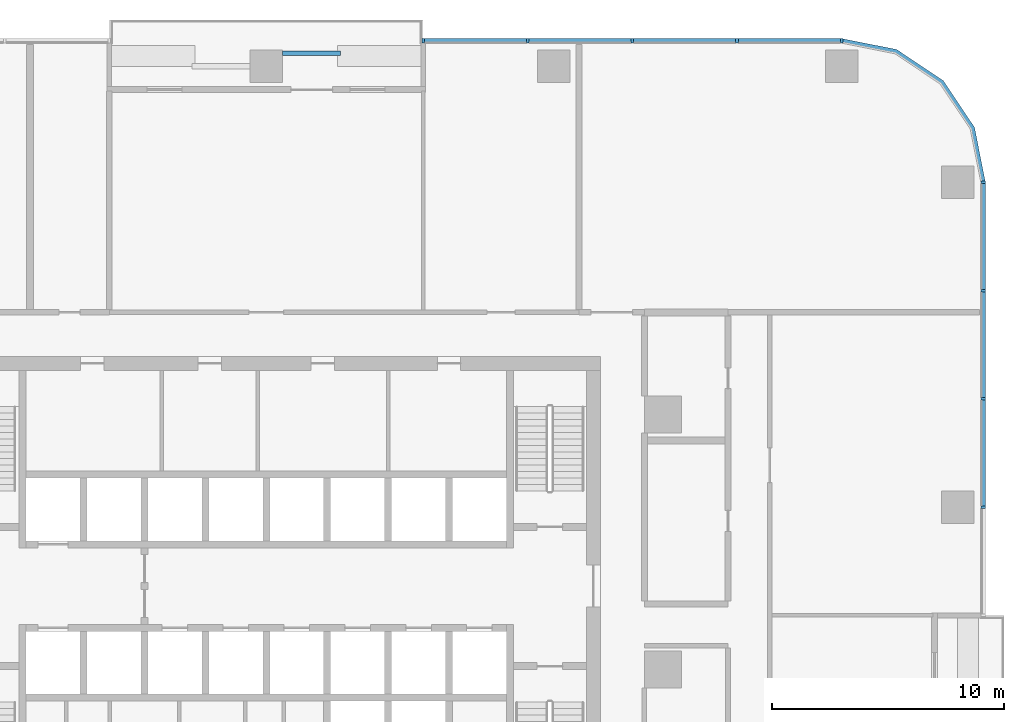
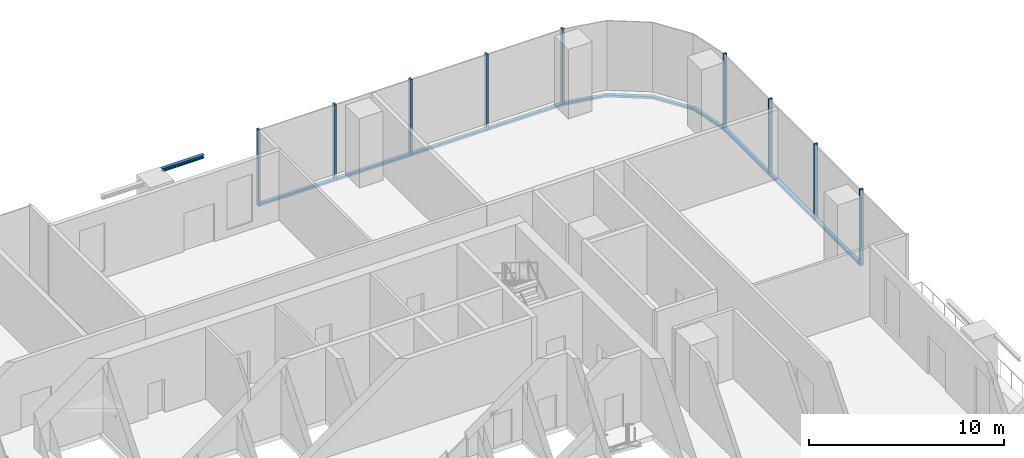
# One storey, part 5 of 14: 17 members, 1 beam, 3 elements without a shape of their own.
"""IFC4 building model written with IfcOpenShell, lengths in metres."""

from ifc_helpers import new_model, si_unit, direction, frame, origin, origin_2d, place, context, subcontext, project, spatial, polyline, rectangle, i_section, outline, extrude, material, material_profile, profile_set, type_object, element, aggregate, save


model = new_model("IFC4")

# Units and contexts
model_context = context("Model", 3, precision=1e-05, world=origin(), true_north=direction((0.0, 1.0)))
body_context = subcontext(model_context, "Body", "Model", "MODEL_VIEW")
ifc_project = project(units=[si_unit("LENGTHUNIT", "METRE"), si_unit("AREAUNIT", "SQUARE_METRE"), si_unit("VOLUMEUNIT", "CUBIC_METRE"), si_unit("PLANEANGLEUNIT", "RADIAN"), si_unit("MASSUNIT", "GRAM", prefix="KILO")], contexts=[model_context])

# Site, building, storey
site_placement = place(None, origin())
site = spatial("IfcSite", under=ifc_project, at=site_placement, CompositionType="ELEMENT")
building_placement = place(site_placement, origin())
building = spatial("IfcBuilding", under=site, at=building_placement, Name="Mopane Tessera Tower", CompositionType="ELEMENT")
storey_placement = place(building_placement, frame((0.0, 0.0, 35.800048828125)))
storey = spatial("IfcBuildingStorey", under=building, at=storey_placement, Name="L06", CompositionType="ELEMENT", Elevation=35.800048828125)

# Curtain wall, members
ifc_material_1 = material(Name="Aluminium frame", Category="aluminium")
curtain_wall_type = type_object("IfcCurtainWallType", Name="Lower tower unitised wall", PredefinedType="NOTDEFINED", material=ifc_material_1)
curtain_wall_1_placement = place(storey_placement, origin())
curtain_wall_1 = element("IfcCurtainWall", 1, at=curtain_wall_1_placement, inside=storey, type_object=curtain_wall_type, Name="e:cw:L06:E:5", PredefinedType="NOTDEFINED")
ifc_material_2 = material(Name="Aluminium frame", Category="aluminium")
ifc_material_profile_1 = material_profile(ifc_material_2, rectangle(XDim=0.110107421875, YDim=0.199951171875, at=origin_2d()))
ifc_profile_set_1 = profile_set([ifc_material_profile_1], Name="Aluminium frame")
member_type_1 = type_object("IfcMemberType", Name="Aluminium mullion 110 x 200", PredefinedType="MULLION", material=ifc_profile_set_1)
member_1_placement = place(storey_placement, frame((30.89990234375, 7.0, -0.449951171875), z_axis=(0.0, 0.0, 1.0), x_axis=(0.0, 1.0, 0.0)))
member_1 = element("IfcMember", 2, at=member_1_placement, type_object=member_type_1, Name="e:cw:L06:E:5:mu6", PredefinedType="MULLION", context=body_context, shape_type="SweptSolid", body=[
    extrude(rectangle(XDim=0.110107421875, YDim=0.199951171875, at=origin_2d()), origin(), (0.0, 0.0, 1.0), 4.7998046875),
])
member_2_placement = place(storey_placement, frame((30.89990234375, 11.666748046875, -0.449951171875), z_axis=(0.0, 0.0, 1.0), x_axis=(0.0, 1.0, 0.0)))
member_2 = element("IfcMember", 3, at=member_2_placement, type_object=member_type_1, Name="e:cw:L06:E:5:mu7", PredefinedType="MULLION", context=body_context, shape_type="SweptSolid", body=[
    extrude(rectangle(XDim=0.110107421875, YDim=0.199951171875, at=origin_2d()), origin(), (0.0, 0.0, 1.0), 4.7998046875),
])
member_3_placement = place(storey_placement, frame((30.89990234375, 16.333251953125, -0.449951171875), z_axis=(0.0, 0.0, 1.0), x_axis=(0.0, 1.0, 0.0)))
member_3 = element("IfcMember", 4, at=member_3_placement, type_object=member_type_1, Name="e:cw:L06:E:5:mu8", PredefinedType="MULLION", context=body_context, shape_type="SweptSolid", body=[
    extrude(rectangle(XDim=0.110107421875, YDim=0.199951171875, at=origin_2d()), origin(), (0.0, 0.0, 1.0), 4.7998046875),
])
member_4_placement = place(storey_placement, frame((30.89990234375, 21.0, -0.449951171875), z_axis=(0.0, 0.0, 1.0), x_axis=(0.0, 1.0, 0.0)))
member_4 = element("IfcMember", 5, at=member_4_placement, type_object=member_type_1, Name="e:cw:L06:E:5:mu9", PredefinedType="MULLION", context=body_context, shape_type="SweptSolid", body=[
    extrude(rectangle(XDim=0.110107421875, YDim=0.199951171875, at=origin_2d()), origin(), (0.0, 0.0, 1.0), 4.7998046875),
])

curtain_wall_2_placement = place(storey_placement, origin())
curtain_wall_2 = element("IfcCurtainWall", 6, at=curtain_wall_2_placement, inside=storey, type_object=curtain_wall_type, Name="e:cw:L06:N:0", PredefinedType="NOTDEFINED")
member_5_placement = place(storey_placement, frame((24.800048828125, 27.10009765625, -0.449951171875), z_axis=(0.0, 0.0, 1.0), x_axis=(-1.0, 0.0, 0.0)))
member_5 = element("IfcMember", 7, at=member_5_placement, type_object=member_type_1, Name="e:cw:L06:N:0:mu0", PredefinedType="MULLION", context=body_context, shape_type="SweptSolid", body=[
    extrude(rectangle(XDim=0.110107421875, YDim=0.199951171875, at=origin_2d()), origin(), (0.0, 0.0, 1.0), 4.7998046875),
])
member_6_placement = place(storey_placement, frame((20.291015625, 27.10009765625, -0.449951171875), z_axis=(0.0, 0.0, 1.0), x_axis=(-1.0, 0.0, 0.0)))
member_6 = element("IfcMember", 8, at=member_6_placement, type_object=member_type_1, Name="e:cw:L06:N:0:mu1", PredefinedType="MULLION", context=body_context, shape_type="SweptSolid", body=[
    extrude(rectangle(XDim=0.110107421875, YDim=0.199951171875, at=origin_2d()), origin(), (0.0, 0.0, 1.0), 4.7998046875),
])
member_7_placement = place(storey_placement, frame((15.78173828125, 27.10009765625, -0.449951171875), z_axis=(0.0, 0.0, 1.0), x_axis=(-1.0, 0.0, 0.0)))
member_7 = element("IfcMember", 9, at=member_7_placement, type_object=member_type_1, Name="e:cw:L06:N:0:mu2", PredefinedType="MULLION", context=body_context, shape_type="SweptSolid", body=[
    extrude(rectangle(XDim=0.110107421875, YDim=0.199951171875, at=origin_2d()), origin(), (0.0, 0.0, 1.0), 4.7998046875),
])
member_8_placement = place(storey_placement, frame((11.272705078125, 27.10009765625, -0.449951171875), z_axis=(0.0, 0.0, 1.0), x_axis=(-1.0, 0.0, 0.0)))
member_8 = element("IfcMember", 10, at=member_8_placement, type_object=member_type_1, Name="e:cw:L06:N:0:mu3", PredefinedType="MULLION", context=body_context, shape_type="SweptSolid", body=[
    extrude(rectangle(XDim=0.110107421875, YDim=0.199951171875, at=origin_2d()), origin(), (0.0, 0.0, 1.0), 4.7998046875),
])
member_9_placement = place(storey_placement, frame((6.763671875, 27.10009765625, -0.449951171875), z_axis=(0.0, 0.0, 1.0), x_axis=(-1.0, 0.0, 0.0)))
member_9 = element("IfcMember", 11, at=member_9_placement, type_object=member_type_1, Name="e:cw:L06:N:0:mu4", PredefinedType="MULLION", context=body_context, shape_type="SweptSolid", body=[
    extrude(rectangle(XDim=0.110107421875, YDim=0.199951171875, at=origin_2d()), origin(), (0.0, 0.0, 1.0), 4.7998046875),
])

# Member
ifc_material_3 = material(Name="Aluminium frame", Category="aluminium")
ifc_material_profile_2 = material_profile(ifc_material_3, rectangle(XDim=0.199951171875, YDim=0.139892578125, at=origin_2d()))
ifc_profile_set_2 = profile_set([ifc_material_profile_2], Name="Aluminium frame")
member_type_2 = type_object("IfcMemberType", Name="Aluminium transom 200 x 140", PredefinedType="USERDEFINED", material=ifc_profile_set_2)
member_10_placement = place(storey_placement, frame((30.89990234375, 7.054931640625, -0.380126953125), z_axis=(0.0, 1.0, 0.0), x_axis=(-1.0, 0.0, 0.0)))
member_10 = element("IfcMember", 12, at=member_10_placement, type_object=member_type_2, Name="e:cw:L06:E:5:tr6", ObjectType="TRANSOM", PredefinedType="USERDEFINED", context=body_context, shape_type="SweptSolid", body=[
    extrude(rectangle(XDim=0.199951171875, YDim=0.139892578125, at=origin_2d()), origin(), (0.0, 0.0, 1.0), 4.556640625),
])

member_11_placement = place(storey_placement, frame((30.89990234375, 11.7216796875, -0.380126953125), z_axis=(0.0, 1.0, 0.0), x_axis=(-1.0, 0.0, 0.0)))
member_11 = element("IfcMember", 13, at=member_11_placement, type_object=member_type_2, Name="e:cw:L06:E:5:tr7", ObjectType="TRANSOM", PredefinedType="USERDEFINED", context=body_context, shape_type="SweptSolid", body=[
    extrude(rectangle(XDim=0.199951171875, YDim=0.139892578125, at=origin_2d()), origin(), (0.0, 0.0, 1.0), 4.556640625),
])

member_12_placement = place(storey_placement, frame((30.89990234375, 16.388427734375, -0.380126953125), z_axis=(0.0, 1.0, 0.0), x_axis=(-1.0, 0.0, 0.0)))
member_12 = element("IfcMember", 14, at=member_12_placement, type_object=member_type_2, Name="e:cw:L06:E:5:tr8", ObjectType="TRANSOM", PredefinedType="USERDEFINED", context=body_context, shape_type="SweptSolid", body=[
    extrude(rectangle(XDim=0.199951171875, YDim=0.139892578125, at=origin_2d()), origin(), (0.0, 0.0, 1.0), 4.556640625),
])

aggregate(curtain_wall_1, [member_1, member_2, member_3, member_4, member_10, member_11, member_12])

# Curtain wall, member
curtain_wall_3_placement = place(storey_placement, origin())
curtain_wall_3 = element("IfcCurtainWall", 15, at=curtain_wall_3_placement, inside=storey, type_object=curtain_wall_type, Name="e:cw:L06:CE", PredefinedType="NOTDEFINED")
member_13_placement = place(storey_placement, frame((0.0, 0.0, -0.449951171875)))
member_13 = element("IfcMember", 16, at=member_13_placement, type_object=member_type_2, Name="e:cw:L06:CE:tr", ObjectType="TRANSOM", PredefinedType="USERDEFINED", context=body_context, shape_type="SweptSolid", body=[
    extrude(outline(polyline([(30.800048828125, 21.0), (30.34326171875, 23.296142578125), (29.042724609375, 25.24267578125), (27.09619140625, 26.543212890625), (24.800048828125, 27.0), (24.800048828125, 27.199951171875), (27.172607421875, 26.72802734375), (29.18408203125, 25.384033203125), (30.528076171875, 23.37255859375), (31.0, 21.0), (30.800048828125, 21.0)])), origin(), (0.0, 0.0, 1.0), 0.139892578125),
])
aggregate(curtain_wall_3, [member_13])

# Member
member_14_placement = place(storey_placement, frame((24.7451171875, 27.10009765625, -0.380126953125), z_axis=(-1.0, 0.0, 0.0), x_axis=(0.0, -1.0, 0.0)))
member_14 = element("IfcMember", 17, at=member_14_placement, type_object=member_type_2, Name="e:cw:L06:N:0:tr0", ObjectType="TRANSOM", PredefinedType="USERDEFINED", context=body_context, shape_type="SweptSolid", body=[
    extrude(rectangle(XDim=0.199951171875, YDim=0.139892578125, at=origin_2d()), origin(), (0.0, 0.0, 1.0), 4.399169921875),
])

member_15_placement = place(storey_placement, frame((20.23583984375, 27.10009765625, -0.380126953125), z_axis=(-1.0, 0.0, 0.0), x_axis=(0.0, -1.0, 0.0)))
member_15 = element("IfcMember", 18, at=member_15_placement, type_object=member_type_2, Name="e:cw:L06:N:0:tr1", ObjectType="TRANSOM", PredefinedType="USERDEFINED", context=body_context, shape_type="SweptSolid", body=[
    extrude(rectangle(XDim=0.199951171875, YDim=0.139892578125, at=origin_2d()), origin(), (0.0, 0.0, 1.0), 4.39892578125),
])

member_16_placement = place(storey_placement, frame((15.726806640625, 27.10009765625, -0.380126953125), z_axis=(-1.0, 0.0, 0.0), x_axis=(0.0, -1.0, 0.0)))
member_16 = element("IfcMember", 19, at=member_16_placement, type_object=member_type_2, Name="e:cw:L06:N:0:tr2", ObjectType="TRANSOM", PredefinedType="USERDEFINED", context=body_context, shape_type="SweptSolid", body=[
    extrude(rectangle(XDim=0.199951171875, YDim=0.139892578125, at=origin_2d()), origin(), (0.0, 0.0, 1.0), 4.399169921875),
])

member_17_placement = place(storey_placement, frame((11.2177734375, 27.10009765625, -0.380126953125), z_axis=(-1.0, 0.0, 0.0), x_axis=(0.0, -1.0, 0.0)))
member_17 = element("IfcMember", 20, at=member_17_placement, type_object=member_type_2, Name="e:cw:L06:N:0:tr3", ObjectType="TRANSOM", PredefinedType="USERDEFINED", context=body_context, shape_type="SweptSolid", body=[
    extrude(rectangle(XDim=0.199951171875, YDim=0.139892578125, at=origin_2d()), origin(), (0.0, 0.0, 1.0), 4.399169921875),
])

aggregate(curtain_wall_2, [member_5, member_6, member_7, member_8, member_9, member_14, member_15, member_16, member_17])

# Beam
ifc_material_4 = material(Name="Structural steel S460", Category="steel")
ifc_material_profile_3 = material_profile(ifc_material_4, i_section(OverallWidth=0.199951171875, OverallDepth=0.199951171875, WebThickness=0.009033203125, FlangeThickness=0.014892578125, FilletRadius=0.01806640625, at=origin_2d()))
ifc_profile_set_3 = profile_set([ifc_material_profile_3], Name="Structural steel S460")
beam_type = type_object("IfcBeamType", Name="Terrace trimmer beam HE 200 B", PredefinedType="BEAM", material=ifc_profile_set_3)
beam_placement = place(storey_placement, frame((0.702880859375, 26.56005859375, 4.25), z_axis=(1.0, 0.0, 0.0), x_axis=(0.0, 1.0, 0.0)))
element("IfcBeam", 21, at=beam_placement, inside=storey, type_object=beam_type, Name="Terrace trimmer beam N2 L07", PredefinedType="BEAM", context=body_context, shape_type="SweptSolid", body=[
    extrude(i_section(OverallWidth=0.199951171875, OverallDepth=0.199951171875, WebThickness=0.009033203125, FlangeThickness=0.014892578125, FilletRadius=0.01806640625, at=origin_2d()), origin(), (0.0, 0.0, 1.0), 2.5),
])

save(model, "model.ifc")
